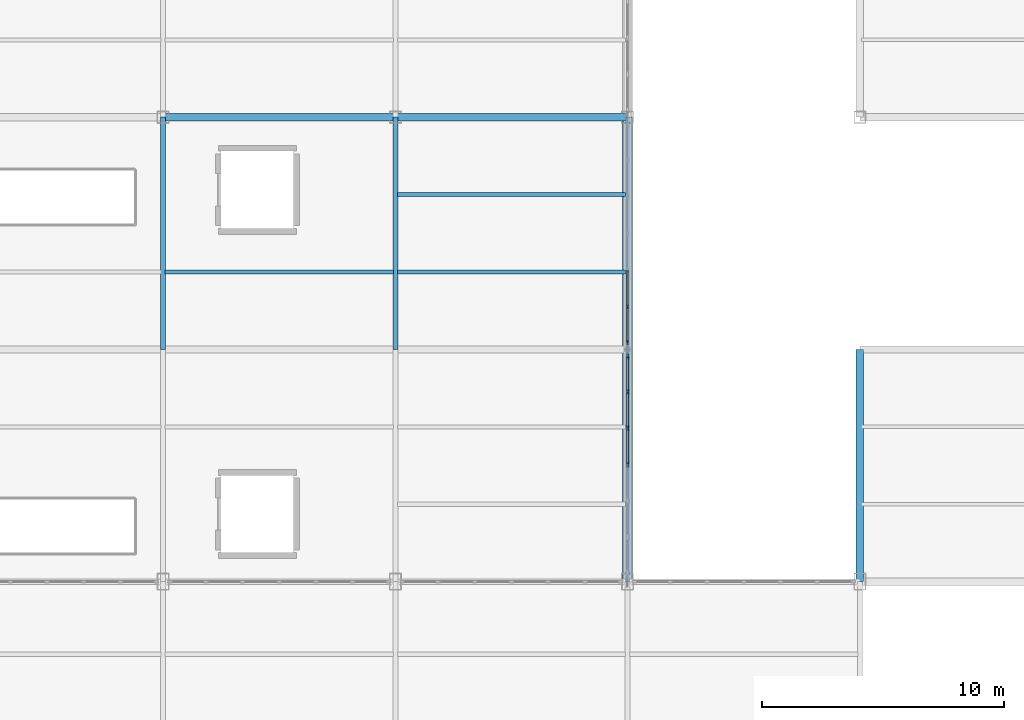
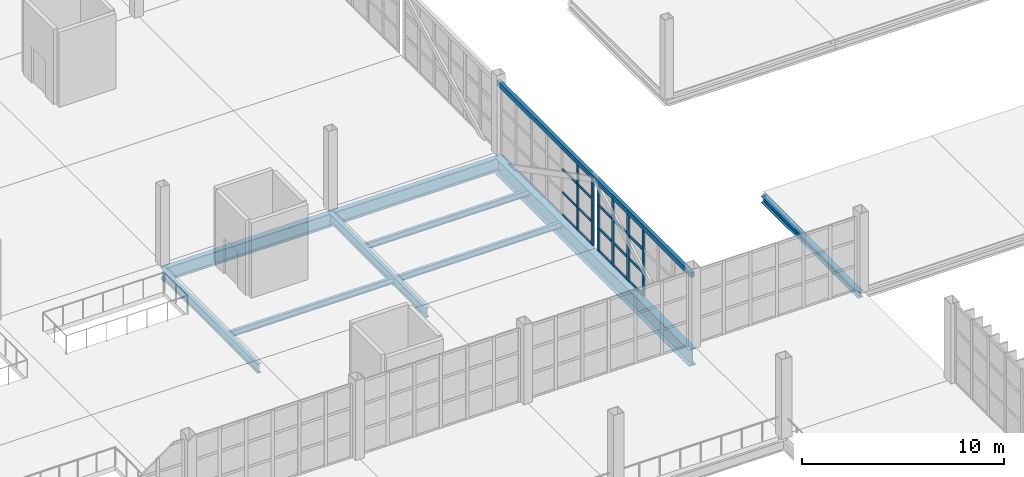
# One storey, part 48 of 120: 27 members, 9 beams, 2 elements without a shape of their own.
"""IFC4 building model written with IfcOpenShell, lengths in metres."""

from ifc_helpers import new_model, si_unit, direction, frame, origin, origin_2d, place, context, subcontext, project, spatial, rectangle, hollow_rectangle, i_section, extrude, material, layer, layer_set, material_profile, profile_set, type_object, element, aggregate, save


model = new_model("IFC4")

# Units and contexts
model_context = context("Model", 3, precision=1e-05, world=origin(), true_north=direction((0.0, 1.0)))
body_context = subcontext(model_context, "Body", "Model", "MODEL_VIEW")
ifc_project = project(units=[si_unit("LENGTHUNIT", "METRE"), si_unit("AREAUNIT", "SQUARE_METRE"), si_unit("VOLUMEUNIT", "CUBIC_METRE"), si_unit("PLANEANGLEUNIT", "RADIAN"), si_unit("MASSUNIT", "GRAM", prefix="KILO")], contexts=[model_context])

# Site, building, storey
site_placement = place(None, origin())
site = spatial("IfcSite", under=ifc_project, at=site_placement, CompositionType="ELEMENT")
building_placement = place(site_placement, origin())
building = spatial("IfcBuilding", under=site, at=building_placement, Name="Zarnetskaya Central Station", CompositionType="ELEMENT")
storey_placement = place(building_placement, frame((0.0, 0.0, 5.39990234375)))
storey = spatial("IfcBuildingStorey", under=building, at=storey_placement, Name="L01", CompositionType="ELEMENT", Elevation=5.39990234375)

# Beams
ifc_material_1 = material(Name="Steel S355", Category="steel")
ifc_material_profile_1 = material_profile(ifc_material_1, i_section(OverallWidth=0.169921875, OverallDepth=0.360107421875, WebThickness=0.008056640625, FlangeThickness=0.0126953125, FilletRadius=0.01806640625, at=origin_2d()), Name="IPE 360")
ifc_profile_set_1 = profile_set([ifc_material_profile_1], Name="Steel S355")
beam_type_1 = type_object("IfcBeamType", Name="BM-SEC-360", PredefinedType="BEAM", material=ifc_profile_set_1)
beam_1_placement = place(storey_placement, frame((96.080078125, 80.0, -0.4599609375), z_axis=(1.0, 0.0, 0.0), x_axis=(0.0, 1.0, 0.0)))
element("IfcBeam", 1, at=beam_1_placement, inside=storey, type_object=beam_type_1, Name="Secondary floor beam SEC-L01-Z512-LM-1011-1", PredefinedType="BEAM", context=body_context, shape_type="SweptSolid", body=[
    extrude(i_section(OverallWidth=0.169921875, OverallDepth=0.360107421875, WebThickness=0.008056640625, FlangeThickness=0.0126953125, FilletRadius=0.01806640625, at=origin_2d()), origin(), (0.0, 0.0, 1.0), 9.43994140625),
])
for number, where, z_axis, x_axis, name in (
    (2, (105.679931640625, 80.0, -0.4599609375), (1.0, 0.0, 0.0), (0.0, 1.0, 0.0), "Secondary floor beam SEC-L01-Z512-MN-1011-1"),
    (3, (105.679931640625, 83.199951171875, -0.4599609375), (1.0, 0.0, 0.0), (0.0, 1.0, 0.0), "Secondary floor beam SEC-L01-Z512-MN-1011-2"),
):
    element("IfcBeam", number, at=place(storey_placement, frame(where, z_axis=z_axis, x_axis=x_axis)), inside=storey, type_object=beam_type_1, Name=name, PredefinedType="BEAM", context=body_context, shape_type="SweptSolid", body=[
        extrude(i_section(OverallWidth=0.169921875, OverallDepth=0.360107421875, WebThickness=0.008056640625, FlangeThickness=0.0126953125, FilletRadius=0.01806640625, at=origin_2d()), origin(), (0.0, 0.0, 1.0), 9.440185546875),
    ])

# Curtain wall, members
ifc_material_2 = material(Name="Low-E insulated glass", Category="glass")
ifc_layer = layer(ifc_material_2, 0.172119140625, Name="Low-E insulated glass", Category="glass")
ifc_layer_set = layer_set([ifc_layer], Name="Low-E insulated glass")
curtain_wall_type = type_object("IfcCurtainWallType", Name="CW-SYS-09", PredefinedType="USERDEFINED", material=ifc_layer_set)
curtain_wall_1_placement = place(storey_placement, origin())
curtain_wall_1 = element("IfcCurtainWall", 4, at=curtain_wall_1_placement, inside=storey, type_object=curtain_wall_type, Name="Curtain wall CW-L01-161", ObjectType="CURTAIN WALL", PredefinedType="USERDEFINED")
ifc_material_3 = material(Name="Anodised aluminium", Category="aluminium")
ifc_material_profile_2 = material_profile(ifc_material_3, rectangle(XDim=0.070068359375, YDim=0.179931640625, at=origin_2d()), Name="ALU MULL 70x180")
ifc_profile_set_2 = profile_set([ifc_material_profile_2], Name="Anodised aluminium")
member_type_1 = type_object("IfcMemberType", Name="CW-MULL-180", PredefinedType="MULLION", material=ifc_profile_set_2)
member_1_placement = place(storey_placement, frame((115.199951171875, 78.566650390625, 0.0), z_axis=(0.0, 0.0, 1.0), x_axis=(1.0, 0.0, 0.0)))
member_1 = element("IfcMember", 5, at=member_1_placement, type_object=member_type_1, Name="CW-07 mullion 6", PredefinedType="MULLION", context=body_context, shape_type="SweptSolid", body=[
    extrude(rectangle(XDim=0.070068359375, YDim=0.179931640625, at=origin_2d()), origin(), (0.0, 0.0, 1.0), 4.10009765625),
])
member_2_placement = place(storey_placement, frame((115.199951171875, 77.0849609375, 0.0), z_axis=(0.0, 0.0, 1.0), x_axis=(1.0, 0.0, 0.0)))
member_2 = element("IfcMember", 6, at=member_2_placement, type_object=member_type_1, Name="CW-07 mullion 7", PredefinedType="MULLION", context=body_context, shape_type="SweptSolid", body=[
    extrude(rectangle(XDim=0.070068359375, YDim=0.179931640625, at=origin_2d()), origin(), (0.0, 0.0, 1.0), 4.10009765625),
])

curtain_wall_2_placement = place(storey_placement, origin())
curtain_wall_2 = element("IfcCurtainWall", 7, at=curtain_wall_2_placement, inside=storey, type_object=curtain_wall_type, Name="Curtain wall CW-L01-162", ObjectType="CURTAIN WALL", PredefinedType="USERDEFINED")
ifc_material_profile_3 = material_profile(ifc_material_3, rectangle(XDim=0.080078125, YDim=0.219970703125, at=origin_2d()), Name="ALU MULL 80x220")
ifc_profile_set_3 = profile_set([ifc_material_profile_3], Name="Anodised aluminium")
member_type_2 = type_object("IfcMemberType", Name="CW-MULL-220", PredefinedType="MULLION", material=ifc_profile_set_3)
member_3_placement = place(storey_placement, frame((115.199951171875, 76.510009765625, 0.0), z_axis=(0.0, 0.0, 1.0), x_axis=(1.0, 0.0, 0.0)))
member_3 = element("IfcMember", 8, at=member_3_placement, type_object=member_type_2, Name="CW-07 mullion 1", PredefinedType="MULLION", context=body_context, shape_type="SweptSolid", body=[
    extrude(rectangle(XDim=0.080078125, YDim=0.219970703125, at=origin_2d()), origin(), (0.0, 0.0, 1.0), 4.10009765625),
])
member_4_placement = place(storey_placement, frame((115.199951171875, 75.050048828125, 0.0), z_axis=(0.0, 0.0, 1.0), x_axis=(1.0, 0.0, 0.0)))
member_4 = element("IfcMember", 9, at=member_4_placement, type_object=member_type_2, Name="CW-07 mullion 2", PredefinedType="MULLION", context=body_context, shape_type="SweptSolid", body=[
    extrude(rectangle(XDim=0.080078125, YDim=0.219970703125, at=origin_2d()), origin(), (0.0, 0.0, 1.0), 4.10009765625),
])
member_5_placement = place(storey_placement, frame((115.199951171875, 73.550048828125, 0.0), z_axis=(0.0, 0.0, 1.0), x_axis=(1.0, 0.0, 0.0)))
member_5 = element("IfcMember", 10, at=member_5_placement, type_object=member_type_2, Name="CW-07 mullion 3", PredefinedType="MULLION", context=body_context, shape_type="SweptSolid", body=[
    extrude(rectangle(XDim=0.080078125, YDim=0.219970703125, at=origin_2d()), origin(), (0.0, 0.0, 1.0), 4.10009765625),
])
member_6_placement = place(storey_placement, frame((115.199951171875, 72.050048828125, 0.0), z_axis=(0.0, 0.0, 1.0), x_axis=(1.0, 0.0, 0.0)))
member_6 = element("IfcMember", 11, at=member_6_placement, type_object=member_type_2, Name="CW-07 mullion 4", PredefinedType="MULLION", context=body_context, shape_type="SweptSolid", body=[
    extrude(rectangle(XDim=0.080078125, YDim=0.219970703125, at=origin_2d()), origin(), (0.0, 0.0, 1.0), 4.10009765625),
])

# Member
ifc_material_profile_4 = material_profile(ifc_material_3, rectangle(XDim=0.070068359375, YDim=0.139892578125, at=origin_2d()), Name="ALU TRAN 70x140")
ifc_profile_set_4 = profile_set([ifc_material_profile_4], Name="Anodised aluminium")
member_type_3 = type_object("IfcMemberType", Name="CW-TRAN-140", PredefinedType="USERDEFINED", material=ifc_profile_set_4)
member_7_placement = place(storey_placement, frame((115.199951171875, 80.04833984375, 0.03515625), z_axis=(0.0, -1.0, 0.0), x_axis=(1.0, 0.0, 0.0)))
member_7 = element("IfcMember", 12, at=member_7_placement, type_object=member_type_3, Name="CW-07 transom 5.1", ObjectType="TRANSOM", PredefinedType="USERDEFINED", context=body_context, shape_type="SweptSolid", body=[
    extrude(rectangle(XDim=0.070068359375, YDim=0.139892578125, at=origin_2d()), origin(), (0.0, 0.0, 1.0), 1.44677734375),
])

member_8_placement = place(storey_placement, frame((115.199951171875, 80.04833984375, 1.39404296875), z_axis=(0.0, -1.0, 0.0), x_axis=(1.0, 0.0, 0.0)))
member_8 = element("IfcMember", 13, at=member_8_placement, type_object=member_type_3, Name="CW-07 transom 5.2", ObjectType="TRANSOM", PredefinedType="USERDEFINED", context=body_context, shape_type="SweptSolid", body=[
    extrude(rectangle(XDim=0.070068359375, YDim=0.139892578125, at=origin_2d()), origin(), (0.0, 0.0, 1.0), 1.44677734375),
])

member_9_placement = place(storey_placement, frame((115.199951171875, 80.04833984375, 2.7880859375), z_axis=(0.0, -1.0, 0.0), x_axis=(1.0, 0.0, 0.0)))
member_9 = element("IfcMember", 14, at=member_9_placement, type_object=member_type_3, Name="CW-07 transom 5.3", ObjectType="TRANSOM", PredefinedType="USERDEFINED", context=body_context, shape_type="SweptSolid", body=[
    extrude(rectangle(XDim=0.070068359375, YDim=0.139892578125, at=origin_2d()), origin(), (0.0, 0.0, 1.0), 1.44677734375),
])

member_10_placement = place(storey_placement, frame((115.199951171875, 80.04833984375, 4.065185546875), z_axis=(0.0, -1.0, 0.0), x_axis=(1.0, 0.0, 0.0)))
member_10 = element("IfcMember", 15, at=member_10_placement, type_object=member_type_3, Name="CW-07 transom 5.4", ObjectType="TRANSOM", PredefinedType="USERDEFINED", context=body_context, shape_type="SweptSolid", body=[
    extrude(rectangle(XDim=0.070068359375, YDim=0.139892578125, at=origin_2d()), origin(), (0.0, 0.0, 1.0), 1.44677734375),
])

member_11_placement = place(storey_placement, frame((115.199951171875, 78.53173828125, 0.03515625), z_axis=(0.0, -1.0, 0.0), x_axis=(1.0, 0.0, 0.0)))
member_11 = element("IfcMember", 16, at=member_11_placement, type_object=member_type_3, Name="CW-07 transom 6.1", ObjectType="TRANSOM", PredefinedType="USERDEFINED", context=body_context, shape_type="SweptSolid", body=[
    extrude(rectangle(XDim=0.070068359375, YDim=0.139892578125, at=origin_2d()), origin(), (0.0, 0.0, 1.0), 1.41162109375),
])

member_12_placement = place(storey_placement, frame((115.199951171875, 78.53173828125, 1.39404296875), z_axis=(0.0, -1.0, 0.0), x_axis=(1.0, 0.0, 0.0)))
member_12 = element("IfcMember", 17, at=member_12_placement, type_object=member_type_3, Name="CW-07 transom 6.2", ObjectType="TRANSOM", PredefinedType="USERDEFINED", context=body_context, shape_type="SweptSolid", body=[
    extrude(rectangle(XDim=0.070068359375, YDim=0.139892578125, at=origin_2d()), origin(), (0.0, 0.0, 1.0), 1.41162109375),
])

member_13_placement = place(storey_placement, frame((115.199951171875, 78.53173828125, 2.7880859375), z_axis=(0.0, -1.0, 0.0), x_axis=(1.0, 0.0, 0.0)))
member_13 = element("IfcMember", 18, at=member_13_placement, type_object=member_type_3, Name="CW-07 transom 6.3", ObjectType="TRANSOM", PredefinedType="USERDEFINED", context=body_context, shape_type="SweptSolid", body=[
    extrude(rectangle(XDim=0.070068359375, YDim=0.139892578125, at=origin_2d()), origin(), (0.0, 0.0, 1.0), 1.41162109375),
])

member_14_placement = place(storey_placement, frame((115.199951171875, 78.53173828125, 4.065185546875), z_axis=(0.0, -1.0, 0.0), x_axis=(1.0, 0.0, 0.0)))
member_14 = element("IfcMember", 19, at=member_14_placement, type_object=member_type_3, Name="CW-07 transom 6.4", ObjectType="TRANSOM", PredefinedType="USERDEFINED", context=body_context, shape_type="SweptSolid", body=[
    extrude(rectangle(XDim=0.070068359375, YDim=0.139892578125, at=origin_2d()), origin(), (0.0, 0.0, 1.0), 1.41162109375),
])

aggregate(curtain_wall_1, [member_1, member_2, member_7, member_8, member_9, member_10, member_11, member_12, member_13, member_14])

ifc_material_profile_5 = material_profile(ifc_material_3, rectangle(XDim=0.080078125, YDim=0.159912109375, at=origin_2d()), Name="ALU TRAN 80x160")
ifc_profile_set_5 = profile_set([ifc_material_profile_5], Name="Anodised aluminium")
member_type_4 = type_object("IfcMemberType", Name="CW-TRAN-160", PredefinedType="USERDEFINED", material=ifc_profile_set_5)
member_15_placement = place(storey_placement, frame((115.199951171875, 76.469970703125, 0.0400390625), z_axis=(0.0, -1.0, 0.0), x_axis=(1.0, 0.0, 0.0)))
member_15 = element("IfcMember", 20, at=member_15_placement, type_object=member_type_4, Name="CW-07 transom 1.1", ObjectType="TRANSOM", PredefinedType="USERDEFINED", context=body_context, shape_type="SweptSolid", body=[
    extrude(rectangle(XDim=0.080078125, YDim=0.159912109375, at=origin_2d()), origin(), (0.0, 0.0, 1.0), 1.3798828125),
])

member_16_placement = place(storey_placement, frame((115.199951171875, 76.469970703125, 1.39404296875), z_axis=(0.0, -1.0, 0.0), x_axis=(1.0, 0.0, 0.0)))
member_16 = element("IfcMember", 21, at=member_16_placement, type_object=member_type_4, Name="CW-07 transom 1.2", ObjectType="TRANSOM", PredefinedType="USERDEFINED", context=body_context, shape_type="SweptSolid", body=[
    extrude(rectangle(XDim=0.080078125, YDim=0.159912109375, at=origin_2d()), origin(), (0.0, 0.0, 1.0), 1.3798828125),
])

member_17_placement = place(storey_placement, frame((115.199951171875, 76.469970703125, 2.7880859375), z_axis=(0.0, -1.0, 0.0), x_axis=(1.0, 0.0, 0.0)))
member_17 = element("IfcMember", 22, at=member_17_placement, type_object=member_type_4, Name="CW-07 transom 1.3", ObjectType="TRANSOM", PredefinedType="USERDEFINED", context=body_context, shape_type="SweptSolid", body=[
    extrude(rectangle(XDim=0.080078125, YDim=0.159912109375, at=origin_2d()), origin(), (0.0, 0.0, 1.0), 1.3798828125),
])

member_18_placement = place(storey_placement, frame((115.199951171875, 76.469970703125, 4.06005859375), z_axis=(0.0, -1.0, 0.0), x_axis=(1.0, 0.0, 0.0)))
member_18 = element("IfcMember", 23, at=member_18_placement, type_object=member_type_4, Name="CW-07 transom 1.4", ObjectType="TRANSOM", PredefinedType="USERDEFINED", context=body_context, shape_type="SweptSolid", body=[
    extrude(rectangle(XDim=0.080078125, YDim=0.159912109375, at=origin_2d()), origin(), (0.0, 0.0, 1.0), 1.3798828125),
])

member_19_placement = place(storey_placement, frame((115.199951171875, 75.010009765625, 0.0400390625), z_axis=(0.0, -1.0, 0.0), x_axis=(1.0, 0.0, 0.0)))
member_19 = element("IfcMember", 24, at=member_19_placement, type_object=member_type_4, Name="CW-07 transom 2.1", ObjectType="TRANSOM", PredefinedType="USERDEFINED", context=body_context, shape_type="SweptSolid", body=[
    extrude(rectangle(XDim=0.080078125, YDim=0.159912109375, at=origin_2d()), origin(), (0.0, 0.0, 1.0), 1.419921875),
])

member_20_placement = place(storey_placement, frame((115.199951171875, 75.010009765625, 1.39404296875), z_axis=(0.0, -1.0, 0.0), x_axis=(1.0, 0.0, 0.0)))
member_20 = element("IfcMember", 25, at=member_20_placement, type_object=member_type_4, Name="CW-07 transom 2.2", ObjectType="TRANSOM", PredefinedType="USERDEFINED", context=body_context, shape_type="SweptSolid", body=[
    extrude(rectangle(XDim=0.080078125, YDim=0.159912109375, at=origin_2d()), origin(), (0.0, 0.0, 1.0), 1.419921875),
])

member_21_placement = place(storey_placement, frame((115.199951171875, 75.010009765625, 2.7880859375), z_axis=(0.0, -1.0, 0.0), x_axis=(1.0, 0.0, 0.0)))
member_21 = element("IfcMember", 26, at=member_21_placement, type_object=member_type_4, Name="CW-07 transom 2.3", ObjectType="TRANSOM", PredefinedType="USERDEFINED", context=body_context, shape_type="SweptSolid", body=[
    extrude(rectangle(XDim=0.080078125, YDim=0.159912109375, at=origin_2d()), origin(), (0.0, 0.0, 1.0), 1.419921875),
])

member_22_placement = place(storey_placement, frame((115.199951171875, 75.010009765625, 4.06005859375), z_axis=(0.0, -1.0, 0.0), x_axis=(1.0, 0.0, 0.0)))
member_22 = element("IfcMember", 27, at=member_22_placement, type_object=member_type_4, Name="CW-07 transom 2.4", ObjectType="TRANSOM", PredefinedType="USERDEFINED", context=body_context, shape_type="SweptSolid", body=[
    extrude(rectangle(XDim=0.080078125, YDim=0.159912109375, at=origin_2d()), origin(), (0.0, 0.0, 1.0), 1.419921875),
])

member_23_placement = place(storey_placement, frame((115.199951171875, 73.510009765625, 0.0400390625), z_axis=(0.0, -1.0, 0.0), x_axis=(1.0, 0.0, 0.0)))
member_23 = element("IfcMember", 28, at=member_23_placement, type_object=member_type_4, Name="CW-07 transom 3.1", ObjectType="TRANSOM", PredefinedType="USERDEFINED", context=body_context, shape_type="SweptSolid", body=[
    extrude(rectangle(XDim=0.080078125, YDim=0.159912109375, at=origin_2d()), origin(), (0.0, 0.0, 1.0), 1.419921875),
])

member_24_placement = place(storey_placement, frame((115.199951171875, 73.510009765625, 1.39404296875), z_axis=(0.0, -1.0, 0.0), x_axis=(1.0, 0.0, 0.0)))
member_24 = element("IfcMember", 29, at=member_24_placement, type_object=member_type_4, Name="CW-07 transom 3.2", ObjectType="TRANSOM", PredefinedType="USERDEFINED", context=body_context, shape_type="SweptSolid", body=[
    extrude(rectangle(XDim=0.080078125, YDim=0.159912109375, at=origin_2d()), origin(), (0.0, 0.0, 1.0), 1.419921875),
])

member_25_placement = place(storey_placement, frame((115.199951171875, 73.510009765625, 2.7880859375), z_axis=(0.0, -1.0, 0.0), x_axis=(1.0, 0.0, 0.0)))
member_25 = element("IfcMember", 30, at=member_25_placement, type_object=member_type_4, Name="CW-07 transom 3.3", ObjectType="TRANSOM", PredefinedType="USERDEFINED", context=body_context, shape_type="SweptSolid", body=[
    extrude(rectangle(XDim=0.080078125, YDim=0.159912109375, at=origin_2d()), origin(), (0.0, 0.0, 1.0), 1.419921875),
])

member_26_placement = place(storey_placement, frame((115.199951171875, 73.510009765625, 4.06005859375), z_axis=(0.0, -1.0, 0.0), x_axis=(1.0, 0.0, 0.0)))
member_26 = element("IfcMember", 31, at=member_26_placement, type_object=member_type_4, Name="CW-07 transom 3.4", ObjectType="TRANSOM", PredefinedType="USERDEFINED", context=body_context, shape_type="SweptSolid", body=[
    extrude(rectangle(XDim=0.080078125, YDim=0.159912109375, at=origin_2d()), origin(), (0.0, 0.0, 1.0), 1.419921875),
])

aggregate(curtain_wall_2, [member_3, member_4, member_5, member_6, member_15, member_16, member_17, member_18, member_19, member_20, member_21, member_22, member_23, member_24, member_25, member_26])

# Beams
ifc_material_profile_6 = material_profile(ifc_material_1, i_section(OverallWidth=0.300048828125, OverallDepth=0.800048828125, WebThickness=0.017578125, FlangeThickness=0.032958984375, FilletRadius=0.030029296875, at=origin_2d()), Name="HEB 800")
ifc_profile_set_6 = profile_set([ifc_material_profile_6], Name="Steel S355")
beam_type_2 = type_object("IfcBeamType", Name="GD-BRG-800", PredefinedType="USERDEFINED", material=ifc_profile_set_6)
beam_2_placement = place(storey_placement, frame((96.0, 86.39990234375, -0.679931640625), z_axis=(1.0, 0.0, 0.0), x_axis=(0.0, 1.0, 0.0)))
element("IfcBeam", 32, at=beam_2_placement, inside=storey, type_object=beam_type_2, Name="Grid girder GX-L01-11-LM", ObjectType="GIRDER", PredefinedType="USERDEFINED", context=body_context, shape_type="SweptSolid", body=[
    extrude(i_section(OverallWidth=0.300048828125, OverallDepth=0.800048828125, WebThickness=0.017578125, FlangeThickness=0.032958984375, FilletRadius=0.030029296875, at=origin_2d()), origin(), (0.0, 0.0, 1.0), 9.60009765625),
])
beam_3_placement = place(storey_placement, frame((105.60009765625, 86.39990234375, -0.679931640625), z_axis=(1.0, 0.0, 0.0), x_axis=(0.0, 1.0, 0.0)))
element("IfcBeam", 33, at=beam_3_placement, inside=storey, type_object=beam_type_2, Name="Grid girder GX-L01-11-MN", ObjectType="GIRDER", PredefinedType="USERDEFINED", context=body_context, shape_type="SweptSolid", body=[
    extrude(i_section(OverallWidth=0.300048828125, OverallDepth=0.800048828125, WebThickness=0.017578125, FlangeThickness=0.032958984375, FilletRadius=0.030029296875, at=origin_2d()), origin(), (0.0, 0.0, 1.0), 9.599853515625),
])
ifc_material_profile_7 = material_profile(ifc_material_1, i_section(OverallWidth=0.2099609375, OverallDepth=0.550048828125, WebThickness=0.010986328125, FlangeThickness=0.01708984375, FilletRadius=0.02392578125, at=origin_2d()), Name="IPE 550")
ifc_profile_set_7 = profile_set([ifc_material_profile_7], Name="Steel S355")
beam_type_3 = type_object("IfcBeamType", Name="GD-FLR-550", PredefinedType="USERDEFINED", material=ifc_profile_set_7)
for number, where, z_axis, x_axis, name in (
    (34, (96.0, 76.800048828125, -0.554931640625), (0.0, 1.0, 0.0), (-1.0, 0.0, 0.0), "Grid girder GY-L01-L-1011"),
    (35, (105.60009765625, 76.800048828125, -0.554931640625), (0.0, 1.0, 0.0), (-1.0, 0.0, 0.0), "Grid girder GY-L01-M-1011"),
):
    element("IfcBeam", number, at=place(storey_placement, frame(where, z_axis=z_axis, x_axis=x_axis)), inside=storey, type_object=beam_type_3, Name=name, ObjectType="GIRDER", PredefinedType="USERDEFINED", context=body_context, shape_type="SweptSolid", body=[
        extrude(i_section(OverallWidth=0.2099609375, OverallDepth=0.550048828125, WebThickness=0.010986328125, FlangeThickness=0.01708984375, FilletRadius=0.02392578125, at=origin_2d()), origin(), (0.0, 0.0, 1.0), 9.599853515625),
    ])
ifc_material_profile_8 = material_profile(ifc_material_1, i_section(OverallWidth=0.300048828125, OverallDepth=0.389892578125, WebThickness=0.010986328125, FlangeThickness=0.01904296875, FilletRadius=0.027099609375, at=origin_2d()), Name="HEA 400")
ifc_profile_set_8 = profile_set([ifc_material_profile_8], Name="Steel S355")
beam_type_4 = type_object("IfcBeamType", Name="GD-ROOF-400", PredefinedType="USERDEFINED", material=ifc_profile_set_8)
beam_4_placement = place(storey_placement, frame((124.800048828125, 67.199951171875, -0.35498046875), z_axis=(0.0, 1.0, 0.0), x_axis=(-1.0, 0.0, 0.0)))
element("IfcBeam", 36, at=beam_4_placement, inside=storey, type_object=beam_type_4, Name="Grid girder GY-L01-P-910", ObjectType="GIRDER", PredefinedType="USERDEFINED", context=body_context, shape_type="SweptSolid", body=[
    extrude(i_section(OverallWidth=0.300048828125, OverallDepth=0.389892578125, WebThickness=0.010986328125, FlangeThickness=0.01904296875, FilletRadius=0.027099609375, at=origin_2d()), origin(), (0.0, 0.0, 1.0), 9.60009765625),
])
ifc_material_profile_9 = material_profile(ifc_material_1, i_section(OverallWidth=0.39990234375, OverallDepth=1.0, WebThickness=0.02001953125, FlangeThickness=0.031982421875, at=origin_2d()), Name="PG 1000x400x20x32")
ifc_profile_set_9 = profile_set([ifc_material_profile_9], Name="Steel S355")
beam_type_5 = type_object("IfcBeamType", Name="GD-XFER-1000", PredefinedType="USERDEFINED", material=ifc_profile_set_9)
beam_5_placement = place(storey_placement, frame((115.199951171875, 67.199951171875, -0.77978515625), z_axis=(0.0, 1.0, 0.0), x_axis=(-1.0, 0.0, 0.0)))
element("IfcBeam", 37, at=beam_5_placement, inside=storey, type_object=beam_type_5, Name="Transfer truss N 9-11 bottom chord", ObjectType="GIRDER", PredefinedType="USERDEFINED", context=body_context, shape_type="SweptSolid", body=[
    extrude(i_section(OverallWidth=0.39990234375, OverallDepth=1.0, WebThickness=0.02001953125, FlangeThickness=0.031982421875, at=origin_2d()), origin(), (0.0, 0.0, 1.0), 19.199951171875),
])

# Member
ifc_material_profile_10 = material_profile(ifc_material_1, hollow_rectangle(XDim=0.199951171875, YDim=0.300048828125, WallThickness=0.012451171875, at=origin_2d()), Name="RHS 300x200x12.5")
ifc_profile_set_10 = profile_set([ifc_material_profile_10], Name="Steel S355")
member_type_5 = type_object("IfcMemberType", Name="MB-TRUSS-TOP", PredefinedType="CHORD", material=ifc_profile_set_10)
member_27_placement = place(storey_placement, frame((115.199951171875, 67.199951171875, 4.2001953125), z_axis=(0.0, 1.0, 0.0), x_axis=(-1.0, 0.0, 0.0)))
element("IfcMember", 38, at=member_27_placement, inside=storey, type_object=member_type_5, Name="Transfer truss N 9-11 top chord", PredefinedType="CHORD", context=body_context, shape_type="SweptSolid", body=[
    extrude(hollow_rectangle(XDim=0.199951171875, YDim=0.300048828125, WallThickness=0.012451171875, at=origin_2d()), origin(), (0.0, 0.0, 1.0), 19.199951171875),
])

save(model, "model.ifc")
